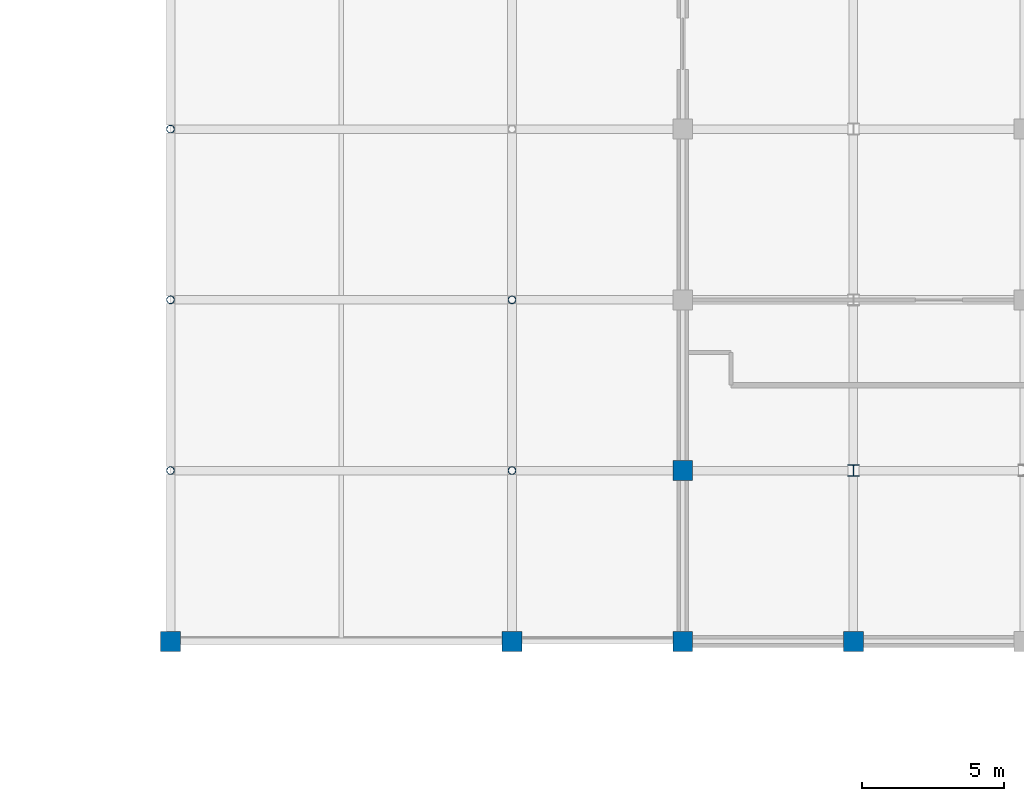
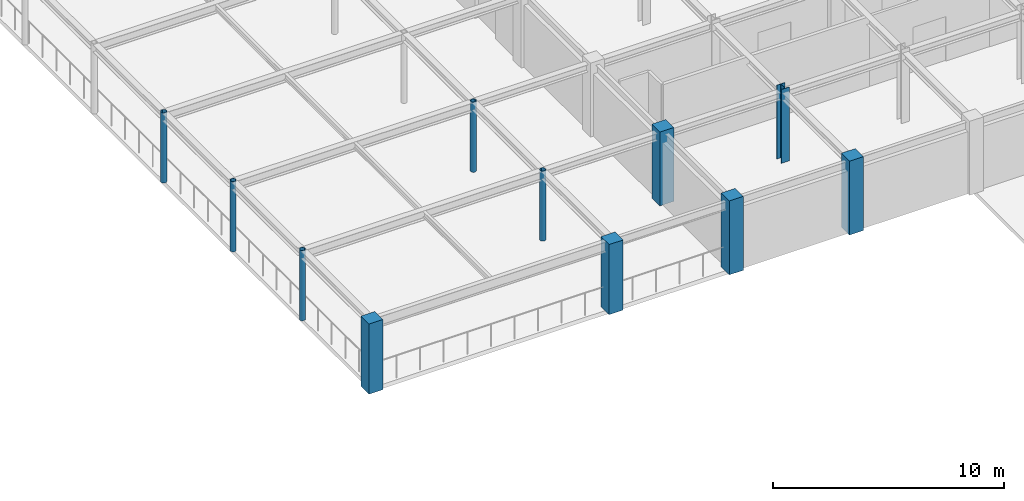
# One storey, part 1 of 25: 11 columns.
"""IFC4 building model written with IfcOpenShell, lengths in metres."""

import ifcopenshell
import ifcopenshell.guid

model = None  # the IFC model being written
_history = None  # IfcOwnerHistory: only IFC2X3 demands one
_inside = {}  # id of a spatial element -> (the spatial element, [elements in it])
_under = {}  # id of a project, library or spatial element -> (it, [spatial elements below it])
_declared = {}  # id of a project -> (the project, [libraries it declares])
_typed = {}  # id of a type object -> (the type object, [elements of that type])
_made_of = {}  # id of a material, layer set ... -> (it, [elements and type objects made of it])


def new_model(schema):
    """Start an empty IFC model of exactly this schema.

    Asked for "IFC4X3", IfcOpenShell would pick the latest addendum, in which some entities
    have other attributes; the version numbers below select the first issue.
    IFC2X3 requires an IfcOwnerHistory on every rooted entity: one is made here for all.
    """
    global model, _history
    if schema == "IFC4X3":
        model = ifcopenshell.file(schema_version=(4, 3, 0, 0))
    else:
        model = ifcopenshell.file(schema=schema)
    _inside.clear()
    _under.clear()
    _declared.clear()
    _typed.clear()
    _made_of.clear()
    _history = None
    if model.schema == "IFC2X3":
        org = make("IfcOrganization", Name="unknown")
        user = make(
            "IfcPersonAndOrganization",
            ThePerson=make("IfcPerson", FamilyName="unknown"),
            TheOrganization=org,
        )
        app = make(
            "IfcApplication",
            ApplicationDeveloper=org,
            Version="unknown",
            ApplicationFullName="unknown",
            ApplicationIdentifier="unknown",
        )
        _history = make(
            "IfcOwnerHistory",
            OwningUser=user,
            OwningApplication=app,
            ChangeAction="ADDED",
            CreationDate=0,
        )
    return model


def make(cls, **values):
    """One entity of the class cls with the attributes given. An attribute that is None is left unset."""
    return model.create_entity(
        cls, **{name: value for name, value in values.items() if value is not None}
    )


def rooted(cls, **values):
    """An entity with a GlobalId (a new one), such as an element, a storey or a relation."""
    return make(cls, GlobalId=ifcopenshell.guid.new(), OwnerHistory=_history, **values)


def si_unit(unit_type, name, prefix=None):
    """IfcSIUnit, for example si_unit("LENGTHUNIT", "METRE", prefix="MILLI")."""
    return make("IfcSIUnit", UnitType=unit_type, Prefix=prefix, Name=name)


def assignment(units):
    """IfcUnitAssignment: the units of a project."""
    return None if units is None else make("IfcUnitAssignment", Units=units)


def point(xyz):
    """IfcCartesianPoint."""
    return None if xyz is None else make("IfcCartesianPoint", Coordinates=xyz)


def direction(xyz):
    """IfcDirection."""
    return None if xyz is None else make("IfcDirection", DirectionRatios=xyz)


def frame(location, z_axis=None, x_axis=None):
    """IfcAxis2Placement3D, a coordinate frame: its origin and axes. An axis left out is left unset."""
    return make(
        "IfcAxis2Placement3D",
        Location=point(location),
        Axis=direction(z_axis),
        RefDirection=direction(x_axis),
    )


def frame_2d(location, x_axis=None):
    """IfcAxis2Placement2D, a coordinate frame in the plane: its origin and x axis."""
    return make(
        "IfcAxis2Placement2D", Location=point(location), RefDirection=direction(x_axis)
    )


def origin():
    """The frame at (0, 0, 0) with its axes left unset."""
    return frame((0.0, 0.0, 0.0))


def origin_2d():
    """The frame at (0, 0) in the plane with its x axis left unset."""
    return frame_2d((0.0, 0.0))


def place(relative_to, where):
    """IfcLocalPlacement: puts the frame where relative to a parent placement (None: the world)."""
    return make(
        "IfcLocalPlacement", PlacementRelTo=relative_to, RelativePlacement=where
    )


def context(
    kind, dimensions, precision=None, world=None, true_north=None, identifier=None
):
    """IfcGeometricRepresentationContext, for example the 3D "Model" context."""
    return make(
        "IfcGeometricRepresentationContext",
        ContextIdentifier=identifier,
        ContextType=kind,
        CoordinateSpaceDimension=dimensions,
        Precision=precision,
        WorldCoordinateSystem=world,
        TrueNorth=true_north,
    )


def subcontext(parent, identifier, kind, view, scale=None):
    """IfcGeometricRepresentationSubContext, for example "Body" below "Model"."""
    return make(
        "IfcGeometricRepresentationSubContext",
        ContextIdentifier=identifier,
        ContextType=kind,
        ParentContext=parent,
        TargetScale=scale,
        TargetView=view,
    )


def project(units=None, contexts=None):
    """IfcProject with its units and contexts."""
    return rooted(
        "IfcProject",
        Name="project",
        RepresentationContexts=contexts,
        UnitsInContext=assignment(units),
    )


def spatial(cls, under=None, at=None, **own):
    """A site, building, storey or space (cls), placed at a placement, below another one or the project."""
    s = rooted(cls, ObjectPlacement=at, **own)
    if under is not None:
        _under.setdefault(under.id(), (under, []))[1].append(s)
    return s


def profile(cls, at=None, kind="AREA", **sizes):
    """A parametric profile (cls). Its sizes go by their IFC names, for example OverallWidth=200.0."""
    return make(cls, ProfileType=kind, Position=at, **sizes)


def rectangle(**sizes):
    """IfcRectangleProfileDef."""
    return profile("IfcRectangleProfileDef", **sizes)


def hollow_circle(**sizes):
    """IfcCircleHollowProfileDef."""
    return profile("IfcCircleHollowProfileDef", **sizes)


def i_section(**sizes):
    """IfcIShapeProfileDef."""
    return profile("IfcIShapeProfileDef", **sizes)


def extrude(swept, where, along, depth):
    """IfcExtrudedAreaSolid: the profile swept, set in the frame where, extruded along a direction by depth."""
    return make(
        "IfcExtrudedAreaSolid",
        SweptArea=swept,
        Position=where,
        ExtrudedDirection=direction(along),
        Depth=depth,
    )


def shape(context_of_items, identifier, shape_type, items):
    """IfcShapeRepresentation: the items that make up one representation, for example the "Body"."""
    return make(
        "IfcShapeRepresentation",
        ContextOfItems=context_of_items,
        RepresentationIdentifier=identifier,
        RepresentationType=shape_type,
        Items=items,
    )


def material(Name=None, Category=None):
    """IfcMaterial."""
    return make("IfcMaterial", Name=Name, Category=Category)


def material_profile(
    of_material, cross_section, Name=None, Category=None, Priority=None
):
    """IfcMaterialProfile: a cross section and its material."""
    return make(
        "IfcMaterialProfile",
        Name=Name,
        Material=of_material,
        Profile=cross_section,
        Priority=Priority,
        Category=Category,
    )


def profile_set(profiles, Name=None, composite=None):
    """IfcMaterialProfileSet."""
    return make(
        "IfcMaterialProfileSet",
        Name=Name,
        MaterialProfiles=profiles,
        CompositeProfile=composite,
    )


def made_of(thing, what):
    """Note that an element or type object is made of a material, layer set ...; save() writes the relation."""
    if what is not None:
        _made_of.setdefault(what.id(), (what, []))[1].append(thing)
    return thing


def type_object(cls, material=None, **own):
    """A type object (cls), such as IfcWallType, which elements share."""
    return made_of(rooted(cls, **own), material)


def element(
    cls,
    number,
    at=None,
    inside=None,
    cuts=None,
    type_object=None,
    material=None,
    context=None,
    identifier="Body",
    shape_type=None,
    held_by="IfcProductDefinitionShape",
    body=None,
    shapes=None,
    **own,
):
    """One element of the class cls, such as IfcWall. Its Tag is "e" and its number.

    at: its placement. inside: the storey or other place that contains it. cuts: it is an
    opening in that element (IfcRelVoidsElement). A single representation is given by context,
    identifier, shape_type and body (its items); several are given by shapes. held_by: the class
    of the entity that holds the representations. save() writes the other relations.
    """
    e = rooted(cls, Tag="e%d" % number, ObjectPlacement=at, **own)
    if body is not None:
        shapes = [shape(context, identifier, shape_type, body)]
    if shapes is not None:
        e.Representation = make(held_by, Representations=shapes)
    if inside is not None:
        _inside.setdefault(inside.id(), (inside, []))[1].append(e)
    if cuts is not None:
        rooted(
            "IfcRelVoidsElement", RelatingBuildingElement=cuts, RelatedOpeningElement=e
        )
    if type_object is not None:
        _typed.setdefault(type_object.id(), (type_object, []))[1].append(e)
    return made_of(e, material)


def aggregate(whole, parts):
    """IfcRelAggregates: a whole, such as a stair, and the parts it consists of."""
    return rooted("IfcRelAggregates", RelatingObject=whole, RelatedObjects=parts)


def save(model, path):
    """Write the relations noted so far, then the file.

    IfcRelAggregates (storeys below a building ...), IfcRelContainedInSpatialStructure (elements
    in a storey), IfcRelDefinesByType, IfcRelAssociatesMaterial and IfcRelDeclares: one each for
    every whole, place, type object, material and project.
    """
    for whole, parts in _under.values():
        aggregate(whole, parts)
    for where, things in _inside.values():
        rooted(
            "IfcRelContainedInSpatialStructure",
            RelatedElements=things,
            RelatingStructure=where,
        )
    for kind, things in _typed.values():
        rooted("IfcRelDefinesByType", RelatedObjects=things, RelatingType=kind)
    for what, things in _made_of.values():
        rooted("IfcRelAssociatesMaterial", RelatedObjects=things, RelatingMaterial=what)
    for by, libraries in _declared.values():
        rooted("IfcRelDeclares", RelatingContext=by, RelatedDefinitions=libraries)
    model.write(path)


model = new_model("IFC4")

# Units and contexts
model_context = context("Model", 3, precision=1e-05, world=origin(), true_north=direction((0.0, 1.0)))
body_context = subcontext(model_context, "Body", "Model", "MODEL_VIEW")
ifc_project = project(units=[si_unit("LENGTHUNIT", "METRE"), si_unit("AREAUNIT", "SQUARE_METRE"), si_unit("VOLUMEUNIT", "CUBIC_METRE"), si_unit("PLANEANGLEUNIT", "RADIAN"), si_unit("MASSUNIT", "GRAM", prefix="KILO")], contexts=[model_context])

# Site, building, storey
site_placement = place(None, origin())
site = spatial("IfcSite", under=ifc_project, at=site_placement, CompositionType="ELEMENT")
building_placement = place(site_placement, origin())
building = spatial("IfcBuilding", under=site, at=building_placement, Name="Zlatovratsky Civic Hall", CompositionType="ELEMENT")
storey_placement = place(building_placement, frame((0.0, 0.0, 21.0)))
storey = spatial("IfcBuildingStorey", under=building, at=storey_placement, Name="L05", CompositionType="ELEMENT", Elevation=21.0)

# Columns
ifc_material_1 = material(Name="Concrete C35/45 (B40)", Category="concrete")
ifc_material_profile_1 = material_profile(ifc_material_1, rectangle(XDim=0.699951171875, YDim=0.699951171875, at=origin_2d()), Name="RC 700x700")
ifc_profile_set_1 = profile_set([ifc_material_profile_1], Name="Concrete C35/45 (B40)")
column_type_1 = type_object("IfcColumnType", Name="Col_CorePier_RC700", PredefinedType="COLUMN", material=ifc_profile_set_1)
for number, where, z_axis, x_axis, name in (
    (1, (36.0, 72.0, 0.0), (0.0, 0.0, 1.0), (1.0, 0.0, 0.0), "CL-1913"),
    (2, (48.0, 72.0, 0.0), (0.0, 0.0, 1.0), (1.0, 0.0, 0.0), "CL-1914"),
):
    element("IfcColumn", number, at=place(storey_placement, frame(where, z_axis=z_axis, x_axis=x_axis)), inside=storey, type_object=column_type_1, Name=name, PredefinedType="COLUMN", context=body_context, shape_type="SweptSolid", body=[
        extrude(rectangle(XDim=0.699951171875, YDim=0.699951171875, at=origin_2d()), origin(), (0.0, 0.0, 1.0), 3.699951171875),
    ])
for number, where, z_axis, x_axis, name in (
    (3, (54.0, 72.0, 0.0), (0.0, 0.0, 1.0), (1.0, 0.0, 0.0), "CL-1915"),
    (4, (60.0, 72.0, 0.0), (0.0, 0.0, 1.0), (1.0, 0.0, 0.0), "CL-1916"),
    (5, (54.0, 78.0, 0.0), (0.0, 0.0, 1.0), (1.0, 0.0, 0.0), "CL-1930"),
):
    element("IfcColumn", number, at=place(storey_placement, frame(where, z_axis=z_axis, x_axis=x_axis)), inside=storey, type_object=column_type_1, Name=name, PredefinedType="COLUMN", context=body_context, shape_type="SweptSolid", body=[
        extrude(rectangle(XDim=0.699951171875, YDim=0.699951171875, at=origin_2d()), origin(), (0.0, 0.0, 1.0), 3.89990234375),
    ])
ifc_material_2 = material(Name="Steel S355", Category="steel")
ifc_material_profile_2 = material_profile(ifc_material_2, hollow_circle(Radius=0.136474609375, WallThickness=0.010009765625, at=origin_2d()), Name="CHS 273x10")
ifc_profile_set_2 = profile_set([ifc_material_profile_2], Name="Steel S355")
column_type_2 = type_object("IfcColumnType", Name="Col_Portico_CHS273", PredefinedType="COLUMN", material=ifc_profile_set_2)
for number, where, z_axis, x_axis, name in (
    (6, (36.0, 78.0, 0.0), (0.0, 0.0, 1.0), (1.0, 0.0, 0.0), "CL-1928"),
    (7, (48.0, 78.0, 0.0), (0.0, 0.0, 1.0), (1.0, 0.0, 0.0), "CL-1929"),
    (8, (36.0, 84.0, 0.0), (0.0, 0.0, 1.0), (1.0, 0.0, 0.0), "CL-1943"),
    (9, (48.0, 84.0, 0.0), (0.0, 0.0, 1.0), (1.0, 0.0, 0.0), "CL-1944"),
    (10, (36.0, 90.0, 0.0), (0.0, 0.0, 1.0), (1.0, 0.0, 0.0), "CL-1958"),
):
    element("IfcColumn", number, at=place(storey_placement, frame(where, z_axis=z_axis, x_axis=x_axis)), inside=storey, type_object=column_type_2, Name=name, PredefinedType="COLUMN", context=body_context, shape_type="SweptSolid", body=[
        extrude(hollow_circle(Radius=0.136474609375, WallThickness=0.010009765625, at=origin_2d()), origin(), (0.0, 0.0, 1.0), 3.699951171875),
    ])
ifc_material_profile_3 = material_profile(ifc_material_2, i_section(OverallWidth=0.39990234375, OverallDepth=0.39990234375, WebThickness=0.012939453125, FlangeThickness=0.02099609375, FilletRadius=0.02197265625, at=origin_2d()), Name="40K2")
ifc_profile_set_3 = profile_set([ifc_material_profile_3], Name="Steel S355")
column_type_3 = type_object("IfcColumnType", Name="Col_Steel_40K2", PredefinedType="COLUMN", material=ifc_profile_set_3)
column_placement = place(storey_placement, frame((60.0, 78.0, 0.0), z_axis=(0.0, 0.0, 1.0), x_axis=(1.0, 0.0, 0.0)))
element("IfcColumn", 11, at=column_placement, inside=storey, type_object=column_type_3, Name="CL-1931", PredefinedType="COLUMN", context=body_context, shape_type="SweptSolid", body=[
    extrude(i_section(OverallWidth=0.39990234375, OverallDepth=0.39990234375, WebThickness=0.012939453125, FlangeThickness=0.02099609375, FilletRadius=0.02197265625, at=origin_2d()), origin(), (0.0, 0.0, 1.0), 3.89990234375),
])

save(model, "model.ifc")
